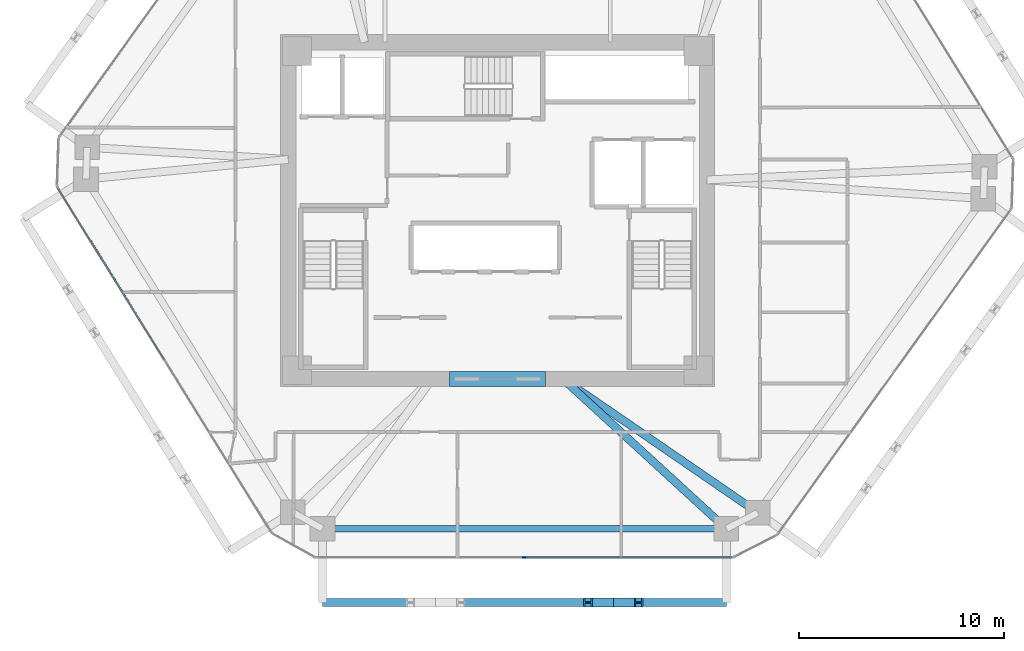
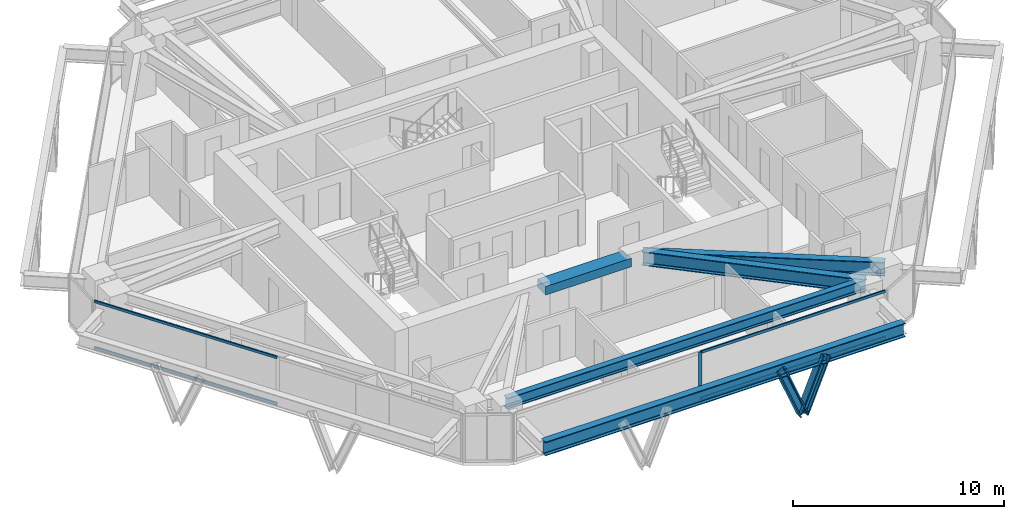
# One storey, part 3 of 14: 7 members, 5 beams, 2 elements without a shape of their own.
"""IFC4 building model written with IfcOpenShell, lengths in metres."""

import ifcopenshell
import ifcopenshell.guid

model = None  # the IFC model being written
_history = None  # IfcOwnerHistory: only IFC2X3 demands one
_inside = {}  # id of a spatial element -> (the spatial element, [elements in it])
_under = {}  # id of a project, library or spatial element -> (it, [spatial elements below it])
_declared = {}  # id of a project -> (the project, [libraries it declares])
_typed = {}  # id of a type object -> (the type object, [elements of that type])
_made_of = {}  # id of a material, layer set ... -> (it, [elements and type objects made of it])


def new_model(schema):
    """Start an empty IFC model of exactly this schema.

    Asked for "IFC4X3", IfcOpenShell would pick the latest addendum, in which some entities
    have other attributes; the version numbers below select the first issue.
    IFC2X3 requires an IfcOwnerHistory on every rooted entity: one is made here for all.
    """
    global model, _history
    if schema == "IFC4X3":
        model = ifcopenshell.file(schema_version=(4, 3, 0, 0))
    else:
        model = ifcopenshell.file(schema=schema)
    _inside.clear()
    _under.clear()
    _declared.clear()
    _typed.clear()
    _made_of.clear()
    _history = None
    if model.schema == "IFC2X3":
        org = make("IfcOrganization", Name="unknown")
        user = make(
            "IfcPersonAndOrganization",
            ThePerson=make("IfcPerson", FamilyName="unknown"),
            TheOrganization=org,
        )
        app = make(
            "IfcApplication",
            ApplicationDeveloper=org,
            Version="unknown",
            ApplicationFullName="unknown",
            ApplicationIdentifier="unknown",
        )
        _history = make(
            "IfcOwnerHistory",
            OwningUser=user,
            OwningApplication=app,
            ChangeAction="ADDED",
            CreationDate=0,
        )
    return model


def make(cls, **values):
    """One entity of the class cls with the attributes given. An attribute that is None is left unset."""
    return model.create_entity(
        cls, **{name: value for name, value in values.items() if value is not None}
    )


def rooted(cls, **values):
    """An entity with a GlobalId (a new one), such as an element, a storey or a relation."""
    return make(cls, GlobalId=ifcopenshell.guid.new(), OwnerHistory=_history, **values)


def si_unit(unit_type, name, prefix=None):
    """IfcSIUnit, for example si_unit("LENGTHUNIT", "METRE", prefix="MILLI")."""
    return make("IfcSIUnit", UnitType=unit_type, Prefix=prefix, Name=name)


def assignment(units):
    """IfcUnitAssignment: the units of a project."""
    return None if units is None else make("IfcUnitAssignment", Units=units)


def point(xyz):
    """IfcCartesianPoint."""
    return None if xyz is None else make("IfcCartesianPoint", Coordinates=xyz)


def direction(xyz):
    """IfcDirection."""
    return None if xyz is None else make("IfcDirection", DirectionRatios=xyz)


def frame(location, z_axis=None, x_axis=None):
    """IfcAxis2Placement3D, a coordinate frame: its origin and axes. An axis left out is left unset."""
    return make(
        "IfcAxis2Placement3D",
        Location=point(location),
        Axis=direction(z_axis),
        RefDirection=direction(x_axis),
    )


def frame_2d(location, x_axis=None):
    """IfcAxis2Placement2D, a coordinate frame in the plane: its origin and x axis."""
    return make(
        "IfcAxis2Placement2D", Location=point(location), RefDirection=direction(x_axis)
    )


def origin():
    """The frame at (0, 0, 0) with its axes left unset."""
    return frame((0.0, 0.0, 0.0))


def origin_2d():
    """The frame at (0, 0) in the plane with its x axis left unset."""
    return frame_2d((0.0, 0.0))


def place(relative_to, where):
    """IfcLocalPlacement: puts the frame where relative to a parent placement (None: the world)."""
    return make(
        "IfcLocalPlacement", PlacementRelTo=relative_to, RelativePlacement=where
    )


def context(
    kind, dimensions, precision=None, world=None, true_north=None, identifier=None
):
    """IfcGeometricRepresentationContext, for example the 3D "Model" context."""
    return make(
        "IfcGeometricRepresentationContext",
        ContextIdentifier=identifier,
        ContextType=kind,
        CoordinateSpaceDimension=dimensions,
        Precision=precision,
        WorldCoordinateSystem=world,
        TrueNorth=true_north,
    )


def subcontext(parent, identifier, kind, view, scale=None):
    """IfcGeometricRepresentationSubContext, for example "Body" below "Model"."""
    return make(
        "IfcGeometricRepresentationSubContext",
        ContextIdentifier=identifier,
        ContextType=kind,
        ParentContext=parent,
        TargetScale=scale,
        TargetView=view,
    )


def project(units=None, contexts=None):
    """IfcProject with its units and contexts."""
    return rooted(
        "IfcProject",
        Name="project",
        RepresentationContexts=contexts,
        UnitsInContext=assignment(units),
    )


def spatial(cls, under=None, at=None, **own):
    """A site, building, storey or space (cls), placed at a placement, below another one or the project."""
    s = rooted(cls, ObjectPlacement=at, **own)
    if under is not None:
        _under.setdefault(under.id(), (under, []))[1].append(s)
    return s


def profile(cls, at=None, kind="AREA", **sizes):
    """A parametric profile (cls). Its sizes go by their IFC names, for example OverallWidth=200.0."""
    return make(cls, ProfileType=kind, Position=at, **sizes)


def rectangle(**sizes):
    """IfcRectangleProfileDef."""
    return profile("IfcRectangleProfileDef", **sizes)


def i_section(**sizes):
    """IfcIShapeProfileDef."""
    return profile("IfcIShapeProfileDef", **sizes)


def extrude(swept, where, along, depth):
    """IfcExtrudedAreaSolid: the profile swept, set in the frame where, extruded along a direction by depth."""
    return make(
        "IfcExtrudedAreaSolid",
        SweptArea=swept,
        Position=where,
        ExtrudedDirection=direction(along),
        Depth=depth,
    )


def shape(context_of_items, identifier, shape_type, items):
    """IfcShapeRepresentation: the items that make up one representation, for example the "Body"."""
    return make(
        "IfcShapeRepresentation",
        ContextOfItems=context_of_items,
        RepresentationIdentifier=identifier,
        RepresentationType=shape_type,
        Items=items,
    )


def source(mapping_origin, context_of_items, identifier, shape_type, items):
    """IfcRepresentationMap: a shape defined once, which mapped items show again and again."""
    return make(
        "IfcRepresentationMap",
        MappingOrigin=mapping_origin,
        MappedRepresentation=shape(context_of_items, identifier, shape_type, items),
    )


def transform(
    local_origin,
    x_axis=None,
    y_axis=None,
    z_axis=None,
    scale=None,
    scale2=None,
    scale3=None,
    uniform=True,
):
    """IfcCartesianTransformationOperator3D, or its non-uniform kind. x_axis, y_axis, z_axis: its Axis1, 2, 3."""
    if uniform:
        return make(
            "IfcCartesianTransformationOperator3D",
            Axis1=direction(x_axis),
            Axis2=direction(y_axis),
            LocalOrigin=point(local_origin),
            Scale=scale,
            Axis3=direction(z_axis),
        )
    return make(
        "IfcCartesianTransformationOperator3DnonUniform",
        Axis1=direction(x_axis),
        Axis2=direction(y_axis),
        LocalOrigin=point(local_origin),
        Scale=scale,
        Axis3=direction(z_axis),
        Scale2=scale2,
        Scale3=scale3,
    )


def mapped(mapping_source, mapping_target):
    """IfcMappedItem: shows the shape of a source again, moved by a transform."""
    return make(
        "IfcMappedItem", MappingSource=mapping_source, MappingTarget=mapping_target
    )


def material(Name=None, Category=None):
    """IfcMaterial."""
    return make("IfcMaterial", Name=Name, Category=Category)


def layer(
    of_material, thickness, ventilated=None, Name=None, Category=None, Priority=None
):
    """IfcMaterialLayer: one layer of a wall or slab, of a material (None: an air gap)."""
    return make(
        "IfcMaterialLayer",
        Material=of_material,
        LayerThickness=thickness,
        IsVentilated=ventilated,
        Name=Name,
        Category=Category,
        Priority=Priority,
    )


def layer_set(layers, Name=None):
    """IfcMaterialLayerSet."""
    return make("IfcMaterialLayerSet", MaterialLayers=layers, LayerSetName=Name)


def material_profile(
    of_material, cross_section, Name=None, Category=None, Priority=None
):
    """IfcMaterialProfile: a cross section and its material."""
    return make(
        "IfcMaterialProfile",
        Name=Name,
        Material=of_material,
        Profile=cross_section,
        Priority=Priority,
        Category=Category,
    )


def profile_set(profiles, Name=None, composite=None):
    """IfcMaterialProfileSet."""
    return make(
        "IfcMaterialProfileSet",
        Name=Name,
        MaterialProfiles=profiles,
        CompositeProfile=composite,
    )


def made_of(thing, what):
    """Note that an element or type object is made of a material, layer set ...; save() writes the relation."""
    if what is not None:
        _made_of.setdefault(what.id(), (what, []))[1].append(thing)
    return thing


def type_object(cls, material=None, **own):
    """A type object (cls), such as IfcWallType, which elements share."""
    return made_of(rooted(cls, **own), material)


def type_shapes(of_type, sources):
    """Give a type object the sources (RepresentationMaps) that its elements show as mapped items."""
    of_type.RepresentationMaps = sources


def element(
    cls,
    number,
    at=None,
    inside=None,
    cuts=None,
    type_object=None,
    material=None,
    context=None,
    identifier="Body",
    shape_type=None,
    held_by="IfcProductDefinitionShape",
    body=None,
    shapes=None,
    **own,
):
    """One element of the class cls, such as IfcWall. Its Tag is "e" and its number.

    at: its placement. inside: the storey or other place that contains it. cuts: it is an
    opening in that element (IfcRelVoidsElement). A single representation is given by context,
    identifier, shape_type and body (its items); several are given by shapes. held_by: the class
    of the entity that holds the representations. save() writes the other relations.
    """
    e = rooted(cls, Tag="e%d" % number, ObjectPlacement=at, **own)
    if body is not None:
        shapes = [shape(context, identifier, shape_type, body)]
    if shapes is not None:
        e.Representation = make(held_by, Representations=shapes)
    if inside is not None:
        _inside.setdefault(inside.id(), (inside, []))[1].append(e)
    if cuts is not None:
        rooted(
            "IfcRelVoidsElement", RelatingBuildingElement=cuts, RelatedOpeningElement=e
        )
    if type_object is not None:
        _typed.setdefault(type_object.id(), (type_object, []))[1].append(e)
    return made_of(e, material)


def aggregate(whole, parts):
    """IfcRelAggregates: a whole, such as a stair, and the parts it consists of."""
    return rooted("IfcRelAggregates", RelatingObject=whole, RelatedObjects=parts)


def save(model, path):
    """Write the relations noted so far, then the file.

    IfcRelAggregates (storeys below a building ...), IfcRelContainedInSpatialStructure (elements
    in a storey), IfcRelDefinesByType, IfcRelAssociatesMaterial and IfcRelDeclares: one each for
    every whole, place, type object, material and project.
    """
    for whole, parts in _under.values():
        aggregate(whole, parts)
    for where, things in _inside.values():
        rooted(
            "IfcRelContainedInSpatialStructure",
            RelatedElements=things,
            RelatingStructure=where,
        )
    for kind, things in _typed.values():
        rooted("IfcRelDefinesByType", RelatedObjects=things, RelatingType=kind)
    for what, things in _made_of.values():
        rooted("IfcRelAssociatesMaterial", RelatedObjects=things, RelatingMaterial=what)
    for by, libraries in _declared.values():
        rooted("IfcRelDeclares", RelatingContext=by, RelatedDefinitions=libraries)
    model.write(path)


model = new_model("IFC4")

# Units and contexts
model_context = context("Model", 3, precision=1e-05, world=origin(), true_north=direction((0.0, 1.0)))
body_context = subcontext(model_context, "Body", "Model", "MODEL_VIEW")
ifc_project = project(units=[si_unit("LENGTHUNIT", "METRE"), si_unit("AREAUNIT", "SQUARE_METRE"), si_unit("VOLUMEUNIT", "CUBIC_METRE"), si_unit("PLANEANGLEUNIT", "RADIAN"), si_unit("MASSUNIT", "GRAM", prefix="KILO")], contexts=[model_context])

# Site, building, storey
site_placement = place(None, origin())
site = spatial("IfcSite", under=ifc_project, at=site_placement, CompositionType="ELEMENT")
building_placement = place(site_placement, origin())
building = spatial("IfcBuilding", under=site, at=building_placement, Name="Durnholm Broadcast Tower", CompositionType="ELEMENT")
storey_placement = place(building_placement, frame((0.0, 0.0, 140.10009765625)))
storey = spatial("IfcBuildingStorey", under=building, at=storey_placement, Name="L38", CompositionType="ELEMENT", Elevation=140.10009765625)

# Beams
ifc_material_1 = material(Name="Concrete C70/85", Category="concrete")
ifc_material_profile_1 = material_profile(ifc_material_1, rectangle(XDim=0.75, YDim=0.5, at=origin_2d()), Name="RC750X500")
ifc_profile_set_1 = profile_set([ifc_material_profile_1], Name="Concrete C70/85")
beam_type_1 = type_object("IfcBeamType", Name="BM-CB-RC500", PredefinedType="LINTEL", material=ifc_profile_set_1)
shared_shape_1 = source(origin(), body_context, "Body", "SweptSolid", [
    extrude(rectangle(XDim=0.75, YDim=0.5, at=origin_2d()), origin(), (0.0, 0.0, 1.0), 4.7001953125),
])
type_shapes(beam_type_1, [shared_shape_1])
beam_1_placement = place(storey_placement, frame((-2.35009765625, -8.22509765625, 2.5048828125), z_axis=(1.0, 0.0, 0.0), x_axis=(0.0, 1.0, 0.0)))
element("IfcBeam", 1, at=beam_1_placement, inside=storey, type_object=beam_type_1, Name="L38 south core coupling lintel beam CB-S", PredefinedType="LINTEL", context=body_context, shape_type="MappedRepresentation", body=[
    mapped(shared_shape_1, transform((0.0, 0.0, 0.0), x_axis=(1.0, 0.0, 0.0), y_axis=(0.0, 1.0, 0.0), z_axis=(0.0, 0.0, 1.0), scale=1.0)),
])
ifc_material_2 = material(Name="Steel ASTM A992 Grade 50", Category="steel")
ifc_material_profile_2 = material_profile(ifc_material_2, i_section(OverallWidth=0.3291015625, OverallDepth=0.635009765625, WebThickness=0.017822265625, FlangeThickness=0.031005859375, FilletRadius=0.02783203125, at=origin_2d()), Name="W24X162")
ifc_profile_set_2 = profile_set([ifc_material_profile_2], Name="Steel ASTM A992 Grade 50")
beam_type_2 = type_object("IfcBeamType", Name="STL-SP-W24X162", PredefinedType="SPANDREL", material=ifc_profile_set_2)
shared_shape_2 = source(origin(), body_context, "Body", "SweptSolid", [
    extrude(i_section(OverallWidth=0.3291015625, OverallDepth=0.635009765625, WebThickness=0.017822265625, FlangeThickness=0.031005859375, FilletRadius=0.02783203125, at=origin_2d()), origin(), (0.0, 0.0, 1.0), 19.72802734375),
])
type_shapes(beam_type_2, [shared_shape_2])
beam_2_placement = place(storey_placement, frame((11.176025390625, -15.537109375, 2.427490234375), z_axis=(-1.0, 0.0, 0.0), x_axis=(0.0, -1.0, 0.0)))
element("IfcBeam", 2, at=beam_2_placement, inside=storey, type_object=beam_type_2, Name="L38 perimeter spandrel girder 11", PredefinedType="SPANDREL", context=body_context, shape_type="MappedRepresentation", body=[
    mapped(shared_shape_2, transform((0.0, 0.0, 0.0), x_axis=(1.0, 0.0, 0.0), y_axis=(0.0, 1.0, 0.0), z_axis=(0.0, 0.0, 1.0), scale=1.0)),
])
ifc_material_profile_3 = material_profile(ifc_material_2, i_section(OverallWidth=0.385009765625, OverallDepth=0.802978515625, WebThickness=0.023681640625, FlangeThickness=0.0419921875, FilletRadius=0.032958984375, at=origin_2d()), Name="W30X261")
ifc_profile_set_3 = profile_set([ifc_material_profile_3], Name="Steel ASTM A992 Grade 50")
beam_type_3 = type_object("IfcBeamType", Name="STL-GR-W30X261", PredefinedType="USERDEFINED", material=ifc_profile_set_3)
shared_shape_3 = source(origin(), body_context, "Body", "SweptSolid", [
    extrude(i_section(OverallWidth=0.385009765625, OverallDepth=0.802978515625, WebThickness=0.023681640625, FlangeThickness=0.0419921875, FilletRadius=0.032958984375, at=origin_2d()), origin(), (0.0, 0.0, 1.0), 11.533447265625),
])
beam_3_placement = place(storey_placement, frame((3.199951171875, -8.22509765625, 2.343505859375), z_axis=(0.824567182461, -0.565764051181, 0.0), x_axis=(0.565764051181, 0.824567182461, 0.0)))
element("IfcBeam", 3, at=beam_3_placement, inside=storey, type_object=beam_type_3, Name="L38 radial primary floor girder 10", ObjectType="GIRDER", PredefinedType="USERDEFINED", context=body_context, shape_type="MappedRepresentation", body=[
    mapped(shared_shape_3, transform((0.0, 0.0, 0.0), x_axis=(1.0, 0.0, 0.0), y_axis=(0.0, 1.0, 0.0), z_axis=(0.0, 0.0, 1.0), scale=1.0)),
])
shared_shape_4 = source(origin(), body_context, "Body", "SweptSolid", [
    extrude(i_section(OverallWidth=0.385009765625, OverallDepth=0.802978515625, WebThickness=0.023681640625, FlangeThickness=0.0419921875, FilletRadius=0.032958984375, at=origin_2d()), origin(), (0.0, 0.0, 1.0), 10.820556640625),
])
type_shapes(beam_type_3, [shared_shape_3, shared_shape_4])
beam_4_placement = place(storey_placement, frame((3.199951171875, -8.22509765625, 2.343505859375), z_axis=(0.737126042516, -0.675755279258, 0.0), x_axis=(0.675755279258, 0.737126042516, 0.0)))
element("IfcBeam", 4, at=beam_4_placement, inside=storey, type_object=beam_type_3, Name="L38 radial primary floor girder 11", ObjectType="GIRDER", PredefinedType="USERDEFINED", context=body_context, shape_type="MappedRepresentation", body=[
    mapped(shared_shape_4, transform((0.0, 0.0, 0.0), x_axis=(1.0, 0.0, 0.0), y_axis=(0.0, 1.0, 0.0), z_axis=(0.0, 0.0, 1.0), scale=1.0)),
])
ifc_material_profile_4 = material_profile(ifc_material_2, i_section(OverallWidth=0.385009765625, OverallDepth=0.802978515625, WebThickness=0.023681640625, FlangeThickness=0.0419921875, FilletRadius=0.032958984375, at=origin_2d()), Name="W30X261")
ifc_profile_set_4 = profile_set([ifc_material_profile_4], Name="Steel ASTM A992 Grade 50")
beam_type_4 = type_object("IfcBeamType", Name="BM-EXO-TIE", PredefinedType="USERDEFINED", material=ifc_profile_set_4)
shared_shape_5 = source(origin(), body_context, "Body", "SweptSolid", [
    extrude(i_section(OverallWidth=0.385009765625, OverallDepth=0.802978515625, WebThickness=0.023681640625, FlangeThickness=0.0419921875, FilletRadius=0.032958984375, at=origin_2d()), origin(), (0.0, 0.0, 1.0), 19.72802734375),
])
type_shapes(beam_type_4, [shared_shape_5])
beam_5_placement = place(storey_placement, frame((-8.552001953125, -19.136962890625, 2.008544921875), z_axis=(1.0, 0.0, 0.0), x_axis=(0.0, 1.0, 0.0)))
element("IfcBeam", 5, at=beam_5_placement, inside=storey, type_object=beam_type_4, Name="L38 exoskeleton collector spandrel F1", PredefinedType="SPANDREL", context=body_context, shape_type="MappedRepresentation", body=[
    mapped(shared_shape_5, transform((0.0, 0.0, 0.0), x_axis=(1.0, 0.0, 0.0), y_axis=(0.0, 1.0, 0.0), z_axis=(0.0, 0.0, 1.0), scale=1.0)),
])

# Members
ifc_material_3 = material(Name="Steel ASTM A913 Grade 65", Category="steel")
ifc_material_profile_5 = material_profile(ifc_material_3, i_section(OverallWidth=0.41845703125, OverallDepth=0.455078125, WebThickness=0.0419921875, FlangeThickness=0.067626953125, FilletRadius=0.030517578125, at=origin_2d()), Name="W14X370")
ifc_profile_set_5 = profile_set([ifc_material_profile_5], Name="Steel ASTM A913 Grade 65")
member_type_1 = type_object("IfcMemberType", Name="STL-DG-W14X370", PredefinedType="BRACE", material=ifc_profile_set_5)
shared_shape_6 = source(origin(), body_context, "Body", "SweptSolid", [
    extrude(i_section(OverallWidth=0.41845703125, OverallDepth=0.455078125, WebThickness=0.0419921875, FlangeThickness=0.067626953125, FilletRadius=0.030517578125, at=origin_2d()), origin(), (0.0, 0.0, 1.0), 3.243896484375),
])
member_1_placement = place(storey_placement, frame((5.65234375, -19.136962890625, -0.991455078125), z_axis=(-0.380378804119, 0.0, 0.924830776616), x_axis=(0.0, -1.0, 0.0)))
element("IfcMember", 6, at=member_1_placement, inside=storey, type_object=member_type_1, Name="L38 stand-off diagrid brace F1.D2.1", PredefinedType="BRACE", context=body_context, shape_type="MappedRepresentation", body=[
    mapped(shared_shape_6, transform((0.0, 0.0, 0.0), x_axis=(1.0, 0.0, 0.0), y_axis=(0.0, 1.0, 0.0), z_axis=(0.0, 0.0, 1.0), scale=1.0)),
])
shared_shape_7 = source(origin(), body_context, "Body", "SweptSolid", [
    extrude(i_section(OverallWidth=0.41845703125, OverallDepth=0.455078125, WebThickness=0.0419921875, FlangeThickness=0.067626953125, FilletRadius=0.030517578125, at=origin_2d()), origin(), (0.0, 0.0, 1.0), 3.24365234375),
])
type_shapes(member_type_1, [shared_shape_6, shared_shape_7])
member_2_placement = place(storey_placement, frame((5.65234375, -19.136962890625, -0.991455078125), z_axis=(0.380314428078, 0.0, 0.924857251578), x_axis=(0.0, 1.0, 0.0)))
element("IfcMember", 7, at=member_2_placement, inside=storey, type_object=member_type_1, Name="L38 stand-off diagrid brace F1.D2.2", PredefinedType="BRACE", context=body_context, shape_type="MappedRepresentation", body=[
    mapped(shared_shape_7, transform((0.0, 0.0, 0.0), x_axis=(1.0, 0.0, 0.0), y_axis=(0.0, 1.0, 0.0), z_axis=(0.0, 0.0, 1.0), scale=1.0)),
])

# Curtain wall, members
ifc_material_4 = material(Name="Aluminium and Solar Control IGU", Category="aluminium")
ifc_layer = layer(ifc_material_4, 0.18994140625)
ifc_layer_set = layer_set([ifc_layer], Name="Aluminium and Solar Control IGU")
curtain_wall_type = type_object("IfcCurtainWallType", Name="CW-SYS-3", PredefinedType="NOTDEFINED", material=ifc_layer_set)
curtain_wall_1_placement = place(storey_placement, origin())
curtain_wall_1 = element("IfcCurtainWall", 8, at=curtain_wall_1_placement, inside=storey, type_object=curtain_wall_type, Name="L38 curtain wall CW-Z12-VIS CW-L38-F10", PredefinedType="NOTDEFINED")
ifc_material_5 = material(Name="Aluminium 6063-T6", Category="aluminium")
ifc_material_profile_6 = material_profile(ifc_material_5, rectangle(XDim=0.070068359375, YDim=0.18994140625, at=origin_2d()), Name="CWM70X190")
ifc_profile_set_6 = profile_set([ifc_material_profile_6], Name="Aluminium 6063-T6")
member_type_2 = type_object("IfcMemberType", Name="CW-SYS-3-MUL", PredefinedType="MULLION", material=ifc_profile_set_6)
shared_shape_8 = source(origin(), body_context, "Body", "SweptSolid", [
    extrude(rectangle(XDim=0.070068359375, YDim=0.18994140625, at=origin_2d()), origin(), (0.0, 0.0, 1.0), 2.760009765625),
])
type_shapes(member_type_2, [shared_shape_8])
member_3_placement = place(storey_placement, frame((1.299560546875, -16.93701171875, 0.0), z_axis=(0.0, 0.0, 1.0), x_axis=(0.0, -1.0, 0.0)))
member_3 = element("IfcMember", 9, at=member_3_placement, type_object=member_type_2, Name="CW-Z12-VIS mullion 2", PredefinedType="MULLION", context=body_context, shape_type="MappedRepresentation", body=[
    mapped(shared_shape_8, transform((0.0, 0.0, 0.0), x_axis=(1.0, 0.0, 0.0), y_axis=(0.0, 1.0, 0.0), z_axis=(0.0, 0.0, 1.0), scale=1.0)),
])
ifc_material_profile_7 = material_profile(ifc_material_5, rectangle(XDim=0.070068359375, YDim=0.14990234375, at=origin_2d()), Name="CWT70X150")
ifc_profile_set_7 = profile_set([ifc_material_profile_7], Name="Aluminium 6063-T6")
member_type_3 = type_object("IfcMemberType", Name="CW-SYS-3-TRN", PredefinedType="USERDEFINED", material=ifc_profile_set_7)
shared_shape_9 = source(origin(), body_context, "Body", "SweptSolid", [
    extrude(rectangle(XDim=0.070068359375, YDim=0.14990234375, at=origin_2d()), origin(), (0.0, 0.0, 1.0), 10.109619140625),
])
member_4_placement = place(storey_placement, frame((11.444091796875, -16.93701171875, 0.034912109375), z_axis=(-1.0, 0.0, 0.0), x_axis=(0.0, -1.0, 0.0)))
member_4 = element("IfcMember", 10, at=member_4_placement, type_object=member_type_3, Name="CW-Z12-VIS transom 1.1", ObjectType="TRANSOM", PredefinedType="USERDEFINED", context=body_context, shape_type="MappedRepresentation", body=[
    mapped(shared_shape_9, transform((0.0, 0.0, 0.0), x_axis=(1.0, 0.0, 0.0), y_axis=(0.0, 1.0, 0.0), z_axis=(0.0, 0.0, 1.0), scale=1.0)),
])
member_5_placement = place(storey_placement, frame((11.444091796875, -16.93701171875, 2.724853515625), z_axis=(-1.0, 0.0, 0.0), x_axis=(0.0, -1.0, 0.0)))
member_5 = element("IfcMember", 11, at=member_5_placement, type_object=member_type_3, Name="CW-Z12-VIS transom 1.2", ObjectType="TRANSOM", PredefinedType="USERDEFINED", context=body_context, shape_type="MappedRepresentation", body=[
    mapped(shared_shape_9, transform((0.0, 0.0, 0.0), x_axis=(1.0, 0.0, 0.0), y_axis=(0.0, 1.0, 0.0), z_axis=(0.0, 0.0, 1.0), scale=1.0)),
])
aggregate(curtain_wall_1, [member_3, member_4, member_5])

curtain_wall_2_placement = place(storey_placement, origin())
curtain_wall_2 = element("IfcCurtainWall", 12, at=curtain_wall_2_placement, inside=storey, type_object=curtain_wall_type, Name="L38 curtain wall CW-Z12-VIS CW-L38-F12", PredefinedType="NOTDEFINED")
shared_shape_10 = source(origin(), body_context, "Body", "SweptSolid", [
    extrude(rectangle(XDim=0.070068359375, YDim=0.14990234375, at=origin_2d()), origin(), (0.0, 0.0, 1.0), 9.85888671875),
])
type_shapes(member_type_3, [shared_shape_9, shared_shape_10])
member_6_placement = place(storey_placement, frame((-16.28271484375, -7.27294921875, 0.034912109375), z_axis=(-0.527119964735, 0.849790881793, 0.0), x_axis=(-0.849790881793, -0.527119964735, 0.0)))
member_6 = element("IfcMember", 13, at=member_6_placement, type_object=member_type_3, Name="CW-Z12-VIS transom 2.1", ObjectType="TRANSOM", PredefinedType="USERDEFINED", context=body_context, shape_type="MappedRepresentation", body=[
    mapped(shared_shape_10, transform((0.0, 0.0, 0.0), x_axis=(1.0, 0.0, 0.0), y_axis=(0.0, 1.0, 0.0), z_axis=(0.0, 0.0, 1.0), scale=1.0)),
])
member_7_placement = place(storey_placement, frame((-16.28271484375, -7.27294921875, 2.724853515625), z_axis=(-0.527119964735, 0.849790881793, 0.0), x_axis=(-0.849790881793, -0.527119964735, 0.0)))
member_7 = element("IfcMember", 14, at=member_7_placement, type_object=member_type_3, Name="CW-Z12-VIS transom 2.2", ObjectType="TRANSOM", PredefinedType="USERDEFINED", context=body_context, shape_type="MappedRepresentation", body=[
    mapped(shared_shape_10, transform((0.0, 0.0, 0.0), x_axis=(1.0, 0.0, 0.0), y_axis=(0.0, 1.0, 0.0), z_axis=(0.0, 0.0, 1.0), scale=1.0)),
])
aggregate(curtain_wall_2, [member_6, member_7])

save(model, "model.ifc")
